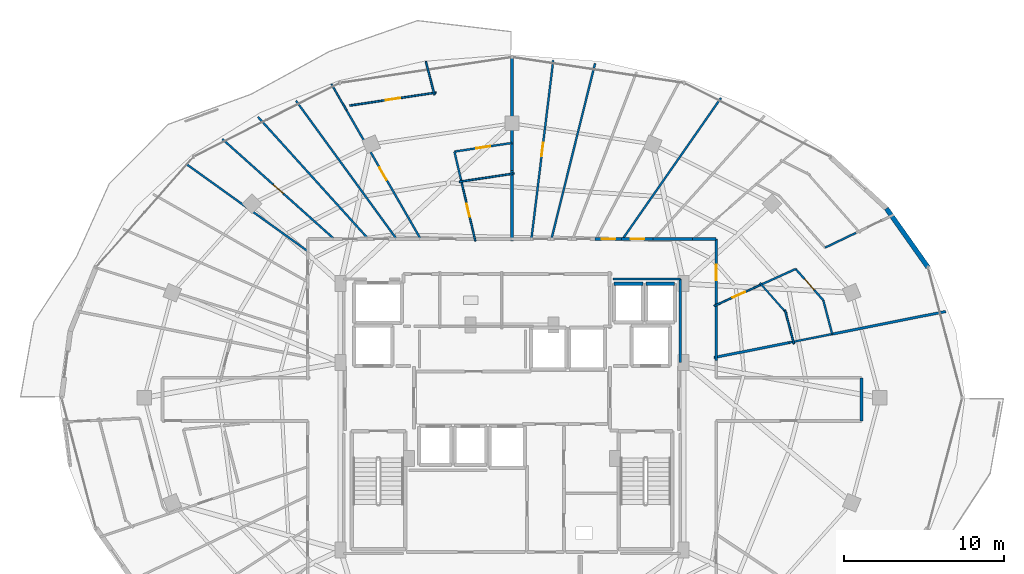
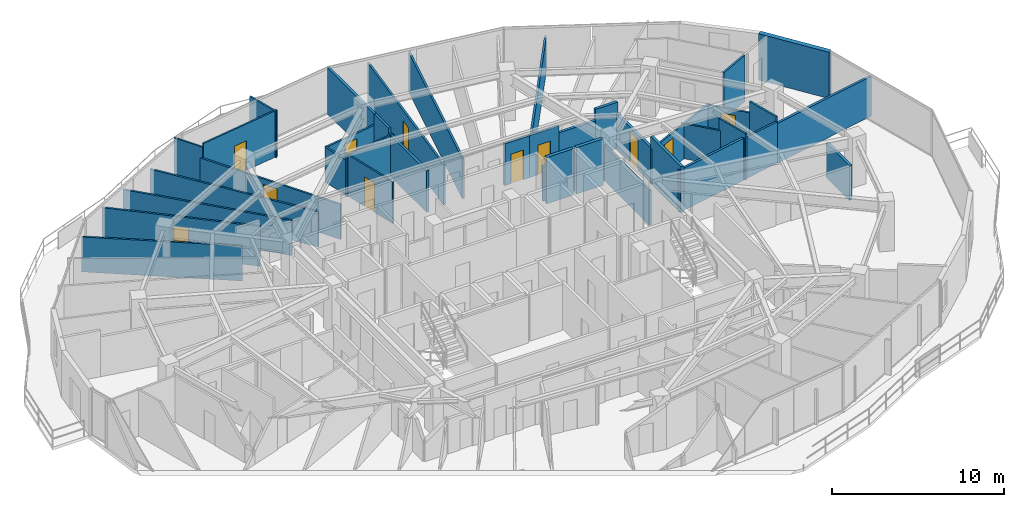
# One storey, part 29 of 34: 40 walls, 11 doors, 11 openings.
"""IFC4 building model written with IfcOpenShell, lengths in metres."""

from ifc_helpers import new_model, si_unit, direction, frame, frame_2d, origin, place, context, subcontext, project, spatial, rectangle, extrude, material, layer, layer_set, type_object, element, fill, save


model = new_model("IFC4")

# Units and contexts
model_context = context("Model", 3, precision=1e-05, world=origin(), true_north=direction((0.0, 1.0)))
body_context = subcontext(model_context, "Body", "Model", "MODEL_VIEW")
ifc_project = project(units=[si_unit("LENGTHUNIT", "METRE"), si_unit("AREAUNIT", "SQUARE_METRE"), si_unit("VOLUMEUNIT", "CUBIC_METRE"), si_unit("PLANEANGLEUNIT", "RADIAN"), si_unit("MASSUNIT", "GRAM", prefix="KILO")], contexts=[model_context])

# Site, building, storey
site_placement = place(None, origin())
site = spatial("IfcSite", under=ifc_project, at=site_placement, CompositionType="ELEMENT")
building_placement = place(site_placement, origin())
building = spatial("IfcBuilding", under=site, at=building_placement, Name="Vorneva Point Tower", CompositionType="ELEMENT")
storey_placement = place(building_placement, frame((0.0, 0.0, 210.75)))
storey = spatial("IfcBuildingStorey", under=building, at=storey_placement, Name="L57", CompositionType="ELEMENT", Elevation=210.75)

# Wall
ifc_material_1 = material(Name="Precast concrete B50 (C40/50)", Category="concrete")
ifc_layer_1 = layer(ifc_material_1, 0.300048828125)
ifc_layer_set_1 = layer_set([ifc_layer_1], Name="Precast concrete B50 (C40/50)")
wall_type_1 = type_object("IfcWallType", Name="WL-EXT-300", PredefinedType="STANDARD", material=ifc_layer_set_1)
wall_1_placement = place(storey_placement, frame((64.0810546875, 34.17041015625, 0.0), z_axis=(0.0, 0.0, 1.0), x_axis=(-0.577168747264, 0.81662490605, 0.0)))
element("IfcWall", 1, at=wall_1_placement, inside=storey, type_object=wall_type_1, Name="L57 Pale-Metal Facade Spandrel Wall 02.1", PredefinedType="STANDARD", context=body_context, shape_type="SweptSolid", body=[
    extrude(rectangle(XDim=4.519775390625, YDim=0.300048828125, at=frame_2d((2.259765625, 0.0))), origin(), (0.0, 0.0, 1.0), 3.2900390625),
])

# Wall, opening, door
ifc_material_2 = material(Name="Fire-rated acoustic gypsum stud partition", Category="gypsum")
ifc_layer_2 = layer(ifc_material_2, 0.110107421875)
ifc_layer_set_2 = layer_set([ifc_layer_2], Name="Fire-rated acoustic gypsum stud partition")
wall_type_2 = type_object("IfcWallType", Name="WL-PART-110", PredefinedType="PARTITIONING", material=ifc_layer_set_2)
wall_2_placement = place(storey_placement, frame((50.672607421875, 31.753173828125, 0.0), z_axis=(0.0, 0.0, 1.0), x_axis=(0.910504846956, 0.413498396212, 0.0)))
wall_2 = element("IfcWall", 2, at=wall_2_placement, inside=storey, type_object=wall_type_2, Name="L57 Interior Partition 080", PredefinedType="PARTITIONING", context=body_context, shape_type="SweptSolid", body=[
    extrude(rectangle(XDim=3.382568359375, YDim=0.110107421875, at=frame_2d((1.69140625, 0.0))), origin(), (0.0, 0.0, 1.0), 2.48193359375),
])
opening_1_placement = place(wall_2_placement, frame((1.266357421875, 0.0, 0.0)))
opening_1 = element("IfcOpeningElement", 3, at=opening_1_placement, cuts=wall_2, Name="Opening ID-02", PredefinedType="OPENING", context=body_context, shape_type="SweptSolid", body=[
    extrude(rectangle(XDim=0.85009765625, YDim=2.10009765625, at=frame_2d((0.425048828125, 1.050048828125))), frame((0.0, 0.06982421875, 0.0), z_axis=(0.0, -1.0, 0.0), x_axis=(1.0, 0.0, 0.0)), (0.0, 0.0, 1.0), 0.139892578125),
])
ifc_material_3 = material(Name="Engineered oak fire-rated door leaf", Category="wood")
door_type_1 = type_object("IfcDoorType", Name="DR-BATH-850", OperationType="NOTDEFINED", PredefinedType="DOOR", material=ifc_material_3)
door_1_placement = place(opening_1_placement, origin())
door_1 = element("IfcDoor", 4, at=door_1_placement, inside=storey, type_object=door_type_1, Name="L57 Door Living and Dining Room L57-01 / Bathroom L57-01", OperationType="SINGLE_SWING_LEFT", OverallHeight=2.10009765625, OverallWidth=0.85009765625, PredefinedType="DOOR", context=body_context, shape_type="SweptSolid", body=[
    extrude(rectangle(XDim=0.85009765625, YDim=2.10009765625, at=frame_2d((0.425048828125, 1.050048828125))), frame((0.0, 0.02490234375, 0.0), z_axis=(0.0, -1.0, 0.0), x_axis=(1.0, 0.0, 0.0)), (0.0, 0.0, 1.0), 0.050048828125),
])
fill(opening_1, door_1)

# Walls
wall_3_placement = place(storey_placement, frame((53.5322265625, 33.198974609375, 0.0), z_axis=(0.0, 0.0, 1.0), x_axis=(0.662069232061, -0.749442680902, 0.0)))
element("IfcWall", 5, at=wall_3_placement, inside=storey, type_object=wall_type_2, Name="L57 Interior Partition 087", PredefinedType="PARTITIONING", context=body_context, shape_type="SweptSolid", body=[
    extrude(rectangle(XDim=2.5791015625, YDim=0.110107421875, at=frame_2d((1.28955078125, 0.0))), origin(), (0.0, 0.0, 1.0), 2.48193359375),
])
wall_4_placement = place(storey_placement, frame((55.111328125, 31.50634765625, 0.0), z_axis=(0.0, 0.0, 1.0), x_axis=(0.254389812051, -0.967101764823, 0.0)))
element("IfcWall", 6, at=wall_4_placement, inside=storey, type_object=wall_type_2, Name="L57 Interior Partition 088", PredefinedType="PARTITIONING", context=body_context, shape_type="SweptSolid", body=[
    extrude(rectangle(XDim=2.206298828125, YDim=0.110107421875, at=frame_2d((1.10302734375, 0.0))), origin(), (0.0, 0.0, 1.0), 3.2900390625),
])

# Wall, opening, door
wall_5_placement = place(storey_placement, frame((35.703857421875, 35.813720703125, 0.0), z_axis=(0.0, 0.0, 1.0), x_axis=(-0.227707800263, 0.973729509515, 0.0)))
wall_5 = element("IfcWall", 7, at=wall_5_placement, inside=storey, type_object=wall_type_2, Name="L57 Interior Partition 103", PredefinedType="PARTITIONING", context=body_context, shape_type="SweptSolid", body=[
    extrude(rectangle(XDim=3.986328125, YDim=0.110107421875, at=frame_2d((1.9931640625, 0.0))), origin(), (0.0, 0.0, 1.0), 2.93603515625),
])
opening_2_placement = place(wall_5_placement, frame((1.568115234375, 0.0, 0.0)))
opening_2 = element("IfcOpeningElement", 8, at=opening_2_placement, cuts=wall_5, Name="Opening ID-02", PredefinedType="OPENING", context=body_context, shape_type="SweptSolid", body=[
    extrude(rectangle(XDim=0.85009765625, YDim=2.10009765625, at=frame_2d((0.425048828125, 1.050048828125))), frame((0.0, 0.06982421875, 0.0), z_axis=(0.0, -1.0, 0.0), x_axis=(1.0, 0.0, 0.0)), (0.0, 0.0, 1.0), 0.139892578125),
])
door_2_placement = place(opening_2_placement, origin())
door_2 = element("IfcDoor", 9, at=door_2_placement, inside=storey, type_object=door_type_1, Name="L57 Door Living and Dining Room L57-02 / Bathroom L57-02", OperationType="SINGLE_SWING_LEFT", OverallHeight=2.10009765625, OverallWidth=0.85009765625, PredefinedType="DOOR", context=body_context, shape_type="SweptSolid", body=[
    extrude(rectangle(XDim=0.85009765625, YDim=2.10009765625, at=frame_2d((0.425048828125, 1.050048828125))), frame((0.0, 0.02490234375, 0.0), z_axis=(0.0, -1.0, 0.0), x_axis=(1.0, 0.0, 0.0)), (0.0, 0.0, 1.0), 0.050048828125),
])
fill(opening_2, door_2)

# Wall
wall_6_placement = place(storey_placement, frame((32.60009765625, 47.084716796875, 0.0), z_axis=(0.0, 0.0, 1.0), x_axis=(0.248431915259, -0.96864936044, 0.0)))
element("IfcWall", 10, at=wall_6_placement, inside=storey, type_object=wall_type_2, Name="L57 Interior Partition 104", PredefinedType="PARTITIONING", context=body_context, shape_type="SweptSolid", body=[
    extrude(rectangle(XDim=2.1806640625, YDim=0.110107421875, at=frame_2d((1.09033203125, 0.0))), origin(), (0.0, 0.0, 1.0), 3.2900390625),
])

# Wall, opening, door
wall_7_placement = place(storey_placement, frame((33.245361328125, 45.12890625, 0.0), z_axis=(0.0, 0.0, 1.0), x_axis=(-0.988861815895, -0.148836517916, 0.0)))
wall_7 = element("IfcWall", 11, at=wall_7_placement, inside=storey, type_object=wall_type_2, Name="L57 Interior Partition 105", PredefinedType="PARTITIONING", context=body_context, shape_type="SweptSolid", body=[
    extrude(rectangle(XDim=5.48681640625, YDim=0.110107421875, at=frame_2d((2.743408203125, 0.0))), origin(), (0.0, 0.0, 1.0), 3.2900390625),
])
opening_3_placement = place(wall_7_placement, frame((2.29345703125, 0.0, 0.0)))
opening_3 = element("IfcOpeningElement", 12, at=opening_3_placement, cuts=wall_7, Name="Opening ID-01", PredefinedType="OPENING", context=body_context, shape_type="SweptSolid", body=[
    extrude(rectangle(XDim=0.89990234375, YDim=2.10009765625, at=frame_2d((0.449951171875, 1.050048828125))), frame((0.0, 0.06982421875, 0.0), z_axis=(0.0, -1.0, 0.0), x_axis=(1.0, 0.0, 0.0)), (0.0, 0.0, 1.0), 0.139892578125),
])
door_type_2 = type_object("IfcDoorType", Name="DR-ROOM-900", OperationType="NOTDEFINED", PredefinedType="DOOR", material=ifc_material_3)
door_3_placement = place(opening_3_placement, origin())
door_3 = element("IfcDoor", 13, at=door_3_placement, inside=storey, type_object=door_type_2, Name="L57 Door Living and Dining Room L57-02 / Kitchen L57-02", OperationType="SINGLE_SWING_RIGHT", OverallHeight=2.10009765625, OverallWidth=0.89990234375, PredefinedType="DOOR", context=body_context, shape_type="SweptSolid", body=[
    extrude(rectangle(XDim=0.89990234375, YDim=2.10009765625, at=frame_2d((0.449951171875, 1.050048828125))), frame((0.0, 0.02490234375, 0.0), z_axis=(0.0, -1.0, 0.0), x_axis=(1.0, 0.0, 0.0)), (0.0, 0.0, 1.0), 0.050048828125),
])
fill(opening_3, door_3)

# Walls
wall_8_placement = place(storey_placement, frame((38.138427734375, 40.056884765625, 0.0), z_axis=(0.0, 0.0, 1.0), x_axis=(-0.988873620703, -0.14875806626, 0.0)))
element("IfcWall", 14, at=wall_8_placement, inside=storey, type_object=wall_type_2, Name="L57 Interior Partition 109", PredefinedType="PARTITIONING", context=body_context, shape_type="SweptSolid", body=[
    extrude(rectangle(XDim=3.487548828125, YDim=0.110107421875, at=frame_2d((1.74365234375, 0.0))), origin(), (0.0, 0.0, 1.0), 2.93603515625),
])
wall_9_placement = place(storey_placement, frame((26.68017578125, 45.665283203125, 0.0), z_axis=(0.0, 0.0, 1.0), x_axis=(0.498810083909, -0.866711313062, 0.0)))
element("IfcWall", 15, at=wall_9_placement, inside=storey, type_object=wall_type_2, Name="L57 Interior Partition 110", PredefinedType="PARTITIONING", context=body_context, shape_type="SweptSolid", body=[
    extrude(rectangle(XDim=1.907958984375, YDim=0.110107421875, at=frame_2d((0.9541015625, 0.0))), origin(), (0.0, 0.0, 1.0), 3.2900390625),
])

# Wall, opening, door
ifc_layer_3 = layer(ifc_material_2, 0.125)
ifc_layer_set_3 = layer_set([ifc_layer_3], Name="Fire-rated acoustic gypsum stud partition")
wall_type_3 = type_object("IfcWallType", Name="WL-PART-125", PredefinedType="PARTITIONING", material=ifc_layer_set_3)
wall_10_placement = place(storey_placement, frame((55.781005859375, 34.072021484375, 0.0), z_axis=(0.0, 0.0, 1.0), x_axis=(0.661961245166, -0.749538064343, 0.0)))
wall_10 = element("IfcWall", 16, at=wall_10_placement, inside=storey, type_object=wall_type_3, Name="L57 Interior Partition 076", PredefinedType="PARTITIONING", context=body_context, shape_type="SweptSolid", body=[
    extrude(rectangle(XDim=2.614990234375, YDim=0.125, at=frame_2d((1.3076171875, 0.0))), origin(), (0.0, 0.0, 1.0), 2.48193359375),
])
opening_4_placement = place(wall_10_placement, frame((0.857421875, 0.0, 0.0)))
opening_4 = element("IfcOpeningElement", 17, at=opening_4_placement, cuts=wall_10, Name="Opening ID-01", PredefinedType="OPENING", context=body_context, shape_type="SweptSolid", body=[
    extrude(rectangle(XDim=0.89990234375, YDim=2.10009765625, at=frame_2d((0.449951171875, 1.050048828125))), frame((0.0, 0.077392578125, 0.0), z_axis=(0.0, -1.0, 0.0), x_axis=(1.0, 0.0, 0.0)), (0.0, 0.0, 1.0), 0.15478515625),
])
door_4_placement = place(opening_4_placement, origin())
door_4 = element("IfcDoor", 18, at=door_4_placement, inside=storey, type_object=door_type_2, Name="L57 Door Living and Dining Room L57-01 / Family Dining Room L57-01", OperationType="SINGLE_SWING_RIGHT", OverallHeight=2.10009765625, OverallWidth=0.89990234375, PredefinedType="DOOR", context=body_context, shape_type="SweptSolid", body=[
    extrude(rectangle(XDim=0.89990234375, YDim=2.10009765625, at=frame_2d((0.449951171875, 1.050048828125))), frame((0.0, 0.02490234375, 0.0), z_axis=(0.0, -1.0, 0.0), x_axis=(1.0, 0.0, 0.0)), (0.0, 0.0, 1.0), 0.050048828125),
])
fill(opening_4, door_4)

# Walls
wall_11_placement = place(storey_placement, frame((57.511962890625, 32.112060546875, 0.0), z_axis=(0.0, 0.0, 1.0), x_axis=(0.254570039115, -0.967054339314, 0.0)))
element("IfcWall", 19, at=wall_11_placement, inside=storey, type_object=wall_type_3, Name="L57 Interior Partition 077", PredefinedType="PARTITIONING", context=body_context, shape_type="SweptSolid", body=[
    extrude(rectangle(XDim=2.1923828125, YDim=0.125, at=frame_2d((1.09619140625, 0.0))), origin(), (0.0, 0.0, 1.0), 3.2900390625),
])
wall_12_placement = place(storey_placement, frame((58.070068359375, 29.991943359375, 0.0), z_axis=(0.0, 0.0, 1.0), x_axis=(-0.98076287284, -0.19520293865, 0.0)))
element("IfcWall", 20, at=wall_12_placement, inside=storey, type_object=wall_type_3, Name="L57 Interior Partition 078", PredefinedType="PARTITIONING", context=body_context, shape_type="SweptSolid", body=[
    extrude(rectangle(XDim=2.776611328125, YDim=0.125, at=frame_2d((1.38818359375, 0.0))), origin(), (0.0, 0.0, 1.0), 2.93603515625),
])
wall_13_placement = place(storey_placement, frame((53.625, 33.093994140625, 0.0), z_axis=(0.0, 0.0, 1.0), x_axis=(0.910680528551, 0.413111334773, 0.0)))
element("IfcWall", 21, at=wall_13_placement, inside=storey, type_object=wall_type_3, Name="L57 Interior Partition 079", PredefinedType="PARTITIONING", context=body_context, shape_type="SweptSolid", body=[
    extrude(rectangle(XDim=2.367431640625, YDim=0.125, at=frame_2d((1.18359375, 0.0))), origin(), (0.0, 0.0, 1.0), 2.48193359375),
])
wall_14_placement = place(storey_placement, frame((59.559814453125, 36.33642578125, 0.0), z_axis=(0.0, 0.0, 1.0), x_axis=(-0.901730274491, -0.432299100238, 0.0)))
element("IfcWall", 22, at=wall_14_placement, inside=storey, type_object=wall_type_3, Name="L57 Interior Partition 082", PredefinedType="PARTITIONING", context=body_context, shape_type="SweptSolid", body=[
    extrude(rectangle(XDim=2.14990234375, YDim=0.125, at=frame_2d((1.074951171875, 0.0))), origin(), (0.0, 0.0, 1.0), 3.2900390625),
])
wall_15_placement = place(storey_placement, frame((51.09912109375, 44.794921875, 0.0), z_axis=(0.0, 0.0, 1.0), x_axis=(-0.571754326018, -0.82042488424, 0.0)))
element("IfcWall", 23, at=wall_15_placement, inside=storey, type_object=wall_type_3, Name="L57 Interior Partition 095", PredefinedType="PARTITIONING", context=body_context, shape_type="SweptSolid", body=[
    extrude(rectangle(XDim=10.781005859375, YDim=0.125, at=frame_2d((5.390625, 0.0))), origin(), (0.0, 0.0, 1.0), 2.48193359375),
])
wall_16_placement = place(storey_placement, frame((43.20703125, 46.9609375, 0.0), z_axis=(0.0, 0.0, 1.0), x_axis=(-0.241072089133, -0.970507211638, 0.0)))
element("IfcWall", 24, at=wall_16_placement, inside=storey, type_object=wall_type_3, Name="L57 Interior Partition 098", PredefinedType="PARTITIONING", context=body_context, shape_type="SweptSolid", body=[
    extrude(rectangle(XDim=11.345703125, YDim=0.125, at=frame_2d((5.6728515625, 0.0))), origin(), (0.0, 0.0, 1.0), 2.823974609375),
])

# Wall, opening, door
wall_17_placement = place(storey_placement, frame((40.587890625, 47.156982421875, 0.0), z_axis=(0.0, 0.0, 1.0), x_axis=(-0.121415539359, -0.992601766471, 0.0)))
wall_17 = element("IfcWall", 25, at=wall_17_placement, inside=storey, type_object=wall_type_3, Name="L57 Interior Partition 099", PredefinedType="PARTITIONING", context=body_context, shape_type="SweptSolid", body=[
    extrude(rectangle(XDim=11.29052734375, YDim=0.125, at=frame_2d((5.645263671875, 0.0))), origin(), (0.0, 0.0, 1.0), 2.823974609375),
])
opening_5_placement = place(wall_17_placement, frame((5.22021484375, 0.0, 0.0)))
opening_5 = element("IfcOpeningElement", 26, at=opening_5_placement, cuts=wall_17, Name="Opening ID-02", PredefinedType="OPENING", context=body_context, shape_type="SweptSolid", body=[
    extrude(rectangle(XDim=0.85009765625, YDim=2.10009765625, at=frame_2d((0.425048828125, 1.050048828125))), frame((0.0, 0.077392578125, 0.0), z_axis=(0.0, -1.0, 0.0), x_axis=(1.0, 0.0, 0.0)), (0.0, 0.0, 1.0), 0.15478515625),
])
door_5_placement = place(opening_5_placement, origin())
door_5 = element("IfcDoor", 27, at=door_5_placement, inside=storey, type_object=door_type_1, Name="L57 Access Door Bedroom L57-01.6", OperationType="SINGLE_SWING_RIGHT", OverallHeight=2.10009765625, OverallWidth=0.85009765625, PredefinedType="DOOR", context=body_context, shape_type="SweptSolid", body=[
    extrude(rectangle(XDim=0.85009765625, YDim=2.10009765625, at=frame_2d((0.425048828125, 1.050048828125))), frame((0.0, 0.02490234375, 0.0), z_axis=(0.0, -1.0, 0.0), x_axis=(1.0, 0.0, 0.0)), (0.0, 0.0, 1.0), 0.050048828125),
])
fill(opening_5, door_5)

wall_18_placement = place(storey_placement, frame((34.39111328125, 41.428955078125, 0.0), z_axis=(0.0, 0.0, 1.0), x_axis=(0.988870503719, 0.148778785027, 0.0)))
wall_18 = element("IfcWall", 28, at=wall_18_placement, inside=storey, type_object=wall_type_3, Name="L57 Interior Partition 106", PredefinedType="PARTITIONING", context=body_context, shape_type="SweptSolid", body=[
    extrude(rectangle(XDim=3.6494140625, YDim=0.125, at=frame_2d((1.82470703125, 0.0))), origin(), (0.0, 0.0, 1.0), 2.48193359375),
])
opening_6_placement = place(wall_18_placement, frame((1.374755859375, 0.0, 0.0)))
opening_6 = element("IfcOpeningElement", 29, at=opening_6_placement, cuts=wall_18, Name="Opening ID-01", PredefinedType="OPENING", context=body_context, shape_type="SweptSolid", body=[
    extrude(rectangle(XDim=0.89990234375, YDim=2.10009765625, at=frame_2d((0.449951171875, 1.050048828125))), frame((0.0, 0.077392578125, 0.0), z_axis=(0.0, -1.0, 0.0), x_axis=(1.0, 0.0, 0.0)), (0.0, 0.0, 1.0), 0.15478515625),
])
door_6_placement = place(opening_6_placement, origin())
door_6 = element("IfcDoor", 30, at=door_6_placement, inside=storey, type_object=door_type_2, Name="L57 Door Living and Dining Room L57-02 / Study Room L57-02", OperationType="SINGLE_SWING_LEFT", OverallHeight=2.10009765625, OverallWidth=0.89990234375, PredefinedType="DOOR", context=body_context, shape_type="SweptSolid", body=[
    extrude(rectangle(XDim=0.89990234375, YDim=2.10009765625, at=frame_2d((0.449951171875, 1.050048828125))), frame((0.0, 0.02490234375, 0.0), z_axis=(0.0, -1.0, 0.0), x_axis=(1.0, 0.0, 0.0)), (0.0, 0.0, 1.0), 0.050048828125),
])
fill(opening_6, door_6)

# Wall
wall_19_placement = place(storey_placement, frame((34.796142578125, 39.6953125, 0.0), z_axis=(0.0, 0.0, 1.0), x_axis=(-0.227502715531, 0.973777446045, 0.0)))
element("IfcWall", 31, at=wall_19_placement, inside=storey, type_object=wall_type_3, Name="L57 Interior Partition 107", PredefinedType="PARTITIONING", context=body_context, shape_type="SweptSolid", body=[
    extrude(rectangle(XDim=1.7802734375, YDim=0.125, at=frame_2d((0.89013671875, 0.0))), origin(), (0.0, 0.0, 1.0), 2.48193359375),
])

# Wall, opening, door
wall_20_placement = place(storey_placement, frame((27.56201171875, 44.133056640625, 0.0), z_axis=(0.0, 0.0, 1.0), x_axis=(0.498920898859, -0.866647527361, 0.0)))
wall_20 = element("IfcWall", 32, at=wall_20_placement, inside=storey, type_object=wall_type_3, Name="L57 Interior Partition 108", PredefinedType="PARTITIONING", context=body_context, shape_type="SweptSolid", body=[
    extrude(rectangle(XDim=9.442138671875, YDim=0.125, at=frame_2d((4.72119140625, 0.0))), origin(), (0.0, 0.0, 1.0), 2.48193359375),
])
opening_7_placement = place(wall_20_placement, frame((4.27099609375, 0.0, 0.0)))
opening_7 = element("IfcOpeningElement", 33, at=opening_7_placement, cuts=wall_20, Name="Opening ID-01", PredefinedType="OPENING", context=body_context, shape_type="SweptSolid", body=[
    extrude(rectangle(XDim=0.89990234375, YDim=2.10009765625, at=frame_2d((0.449951171875, 1.050048828125))), frame((0.0, 0.077392578125, 0.0), z_axis=(0.0, -1.0, 0.0), x_axis=(1.0, 0.0, 0.0)), (0.0, 0.0, 1.0), 0.15478515625),
])
door_7_placement = place(opening_7_placement, origin())
door_7 = element("IfcDoor", 34, at=door_7_placement, inside=storey, type_object=door_type_2, Name="L57 Door Living and Dining Room L57-02 / Master Bedroom L57-02.1", OperationType="SINGLE_SWING_RIGHT", OverallHeight=2.10009765625, OverallWidth=0.89990234375, PredefinedType="DOOR", context=body_context, shape_type="SweptSolid", body=[
    extrude(rectangle(XDim=0.89990234375, YDim=2.10009765625, at=frame_2d((0.449951171875, 1.050048828125))), frame((0.0, 0.02490234375, 0.0), z_axis=(0.0, -1.0, 0.0), x_axis=(1.0, 0.0, 0.0)), (0.0, 0.0, 1.0), 0.050048828125),
])
fill(opening_7, door_7)

# Walls
wall_21_placement = place(storey_placement, frame((24.4599609375, 44.616943359375, 0.0), z_axis=(0.0, 0.0, 1.0), x_axis=(0.588154087929, -0.808748891098, 0.0)))
element("IfcWall", 35, at=wall_21_placement, inside=storey, type_object=wall_type_3, Name="L57 Interior Partition 111", PredefinedType="PARTITIONING", context=body_context, shape_type="SweptSolid", body=[
    extrude(rectangle(XDim=10.716552734375, YDim=0.125, at=frame_2d((5.3583984375, 0.0))), origin(), (0.0, 0.0, 1.0), 2.48193359375),
])
wall_22_placement = place(storey_placement, frame((22.076904296875, 43.60302734375, 0.0), z_axis=(0.0, 0.0, 1.0), x_axis=(0.670853853748, -0.741589581177, 0.0)))
element("IfcWall", 36, at=wall_22_placement, inside=storey, type_object=wall_type_3, Name="L57 Interior Partition 112", PredefinedType="PARTITIONING", context=body_context, shape_type="SweptSolid", body=[
    extrude(rectangle(XDim=10.31982421875, YDim=0.125, at=frame_2d((5.159912109375, 0.0))), origin(), (0.0, 0.0, 1.0), 2.48193359375),
])

# Wall, opening, door
wall_23_placement = place(storey_placement, frame((19.843994140625, 42.214111328125, 0.0), z_axis=(0.0, 0.0, 1.0), x_axis=(0.745845988041, -0.666118429502, 0.0)))
wall_23 = element("IfcWall", 37, at=wall_23_placement, inside=storey, type_object=wall_type_3, Name="L57 Interior Partition 113", PredefinedType="PARTITIONING", context=body_context, shape_type="SweptSolid", body=[
    extrude(rectangle(XDim=9.404052734375, YDim=0.125, at=frame_2d((4.7021484375, 0.0))), origin(), (0.0, 0.0, 1.0), 2.823974609375),
])
opening_8_placement = place(wall_23_placement, frame((4.277099609375, 0.0, 0.0)))
opening_8 = element("IfcOpeningElement", 38, at=opening_8_placement, cuts=wall_23, Name="Opening ID-02", PredefinedType="OPENING", context=body_context, shape_type="SweptSolid", body=[
    extrude(rectangle(XDim=0.85009765625, YDim=2.10009765625, at=frame_2d((0.425048828125, 1.050048828125))), frame((0.0, 0.077392578125, 0.0), z_axis=(0.0, -1.0, 0.0), x_axis=(1.0, 0.0, 0.0)), (0.0, 0.0, 1.0), 0.15478515625),
])
door_8_placement = place(opening_8_placement, origin())
door_8 = element("IfcDoor", 39, at=door_8_placement, inside=storey, type_object=door_type_1, Name="L57 Access Door Bedroom L57-02.3", OperationType="SINGLE_SWING_LEFT", OverallHeight=2.10009765625, OverallWidth=0.85009765625, PredefinedType="DOOR", context=body_context, shape_type="SweptSolid", body=[
    extrude(rectangle(XDim=0.85009765625, YDim=2.10009765625, at=frame_2d((0.425048828125, 1.050048828125))), frame((0.0, 0.02490234375, 0.0), z_axis=(0.0, -1.0, 0.0), x_axis=(1.0, 0.0, 0.0)), (0.0, 0.0, 1.0), 0.050048828125),
])
fill(opening_8, door_8)

# Walls
wall_24_placement = place(storey_placement, frame((17.568115234375, 40.662109375, 0.0), z_axis=(0.0, 0.0, 1.0), x_axis=(0.812435479674, -0.583051105279, 0.0)))
element("IfcWall", 40, at=wall_24_placement, inside=storey, type_object=wall_type_3, Name="L57 Interior Partition 114", PredefinedType="PARTITIONING", context=body_context, shape_type="SweptSolid", body=[
    extrude(rectangle(XDim=9.393798828125, YDim=0.125, at=frame_2d((4.69677734375, 0.0))), origin(), (0.0, 0.0, 1.0), 2.48193359375),
])
ifc_layer_4 = layer(ifc_material_2, 0.139892578125)
ifc_layer_set_4 = layer_set([ifc_layer_4], Name="Fire-rated acoustic gypsum stud partition")
wall_type_4 = type_object("IfcWallType", Name="WL-PART-140", PredefinedType="PARTITIONING", material=ifc_layer_set_4)
wall_25_placement = place(storey_placement, frame((48.550048828125, 28.196044921875, 0.0), z_axis=(0.0, 0.0, 1.0), x_axis=(0.0, 1.0, 0.0)))
element("IfcWall", 41, at=wall_25_placement, inside=storey, type_object=wall_type_4, Name="L57 Interior Closure Partition 174", PredefinedType="PARTITIONING", context=body_context, shape_type="SweptSolid", body=[
    extrude(rectangle(XDim=5.25390625, YDim=0.139892578125, at=frame_2d((2.626953125, 0.0))), origin(), (0.0, 0.0, 1.0), 2.48193359375),
])
wall_26_placement = place(storey_placement, frame((48.550048828125, 33.449951171875, 0.0), z_axis=(0.0, 0.0, 1.0), x_axis=(-1.0, 0.0, 0.0)))
element("IfcWall", 42, at=wall_26_placement, inside=storey, type_object=wall_type_4, Name="L57 Interior Closure Partition 175", PredefinedType="PARTITIONING", context=body_context, shape_type="SweptSolid", body=[
    extrude(rectangle(XDim=4.2099609375, YDim=0.139892578125, at=frame_2d((2.10498046875, 0.0))), origin(), (0.0, 0.0, 1.0), 2.48193359375),
])
ifc_layer_5 = layer(ifc_material_2, 0.159912109375)
ifc_layer_set_5 = layer_set([ifc_layer_5], Name="Fire-rated acoustic gypsum stud partition")
wall_type_5 = type_object("IfcWallType", Name="WL-PART-160", PredefinedType="PARTITIONING", material=ifc_layer_set_5)
wall_27_placement = place(storey_placement, frame((58.070068359375, 29.99169921875, 0.0), z_axis=(0.0, 0.0, 1.0), x_axis=(0.980769147175, 0.19517141171, 0.0)))
element("IfcWall", 43, at=wall_27_placement, inside=storey, type_object=wall_type_5, Name="L57 Interior Partition 086", PredefinedType="PARTITIONING", context=body_context, shape_type="SweptSolid", body=[
    extrude(rectangle(XDim=7.256591796875, YDim=0.159912109375, at=frame_2d((3.62841796875, 0.0))), origin(), (0.0, 0.0, 1.0), 2.823974609375),
])
wall_28_placement = place(storey_placement, frame((50.66259765625, 28.518798828125, 0.0), z_axis=(0.0, 0.0, 1.0), x_axis=(0.980809211653, 0.194969972909, 0.0)))
element("IfcWall", 44, at=wall_28_placement, inside=storey, type_object=wall_type_5, Name="L57 Interior Partition 089", PredefinedType="PARTITIONING", context=body_context, shape_type="SweptSolid", body=[
    extrude(rectangle(XDim=4.916015625, YDim=0.159912109375, at=frame_2d((2.4580078125, 0.0))), origin(), (0.0, 0.0, 1.0), 2.97900390625),
])
wall_29_placement = place(storey_placement, frame((38.0, 47.35009765625, 0.0), z_axis=(0.0, 0.0, 1.0), x_axis=(0.0, -1.0, 0.0)))
element("IfcWall", 45, at=wall_29_placement, inside=storey, type_object=wall_type_5, Name="L57 Interior Partition 100", PredefinedType="PARTITIONING", context=body_context, shape_type="SweptSolid", body=[
    extrude(rectangle(XDim=5.439208984375, YDim=0.159912109375, at=frame_2d((2.7197265625, 0.0))), origin(), (0.0, 0.0, 1.0), 3.2900390625),
])
wall_30_placement = place(storey_placement, frame((38.0, 40.236083984375, 0.0), z_axis=(0.0, 0.0, 1.0), x_axis=(0.0, -1.0, 0.0)))
element("IfcWall", 46, at=wall_30_placement, inside=storey, type_object=wall_type_5, Name="L57 Interior Partition 101", PredefinedType="PARTITIONING", context=body_context, shape_type="SweptSolid", body=[
    extrude(rectangle(XDim=4.426025390625, YDim=0.159912109375, at=frame_2d((2.212890625, 0.0))), origin(), (0.0, 0.0, 1.0), 2.93603515625),
])
wall_31_placement = place(storey_placement, frame((38.0, 41.910888671875, 0.0), z_axis=(0.0, 0.0, 1.0), x_axis=(0.0, -1.0, 0.0)))
element("IfcWall", 47, at=wall_31_placement, inside=storey, type_object=wall_type_5, Name="L57 Interior Partition 102", PredefinedType="PARTITIONING", context=body_context, shape_type="SweptSolid", body=[
    extrude(rectangle(XDim=1.6748046875, YDim=0.159912109375, at=frame_2d((0.83740234375, 0.0))), origin(), (0.0, 0.0, 1.0), 3.2900390625),
])

# Wall, opening, door
ifc_material_4 = material(Name="Autoclaved aerated concrete blockwork", Category="masonry")
ifc_layer_6 = layer(ifc_material_4, 0.179931640625)
ifc_layer_set_6 = layer_set([ifc_layer_6], Name="Autoclaved aerated concrete blockwork")
wall_type_6 = type_object("IfcWallType", Name="WL-PART-180", PredefinedType="PARTITIONING", material=ifc_layer_set_6)
wall_32_placement = place(storey_placement, frame((50.800048828125, 31.7509765625, 0.0), z_axis=(0.0, 0.0, 1.0), x_axis=(0.0, 1.0, 0.0)))
wall_32 = element("IfcWall", 48, at=wall_32_placement, inside=storey, type_object=wall_type_6, Name="L57 Interior Partition 026", PredefinedType="PARTITIONING", context=body_context, shape_type="SweptSolid", body=[
    extrude(rectangle(XDim=4.198974609375, YDim=0.179931640625, at=frame_2d((2.099609375, 0.0))), origin(), (0.0, 0.0, 1.0), 2.48193359375),
])
opening_9_placement = place(wall_32_placement, frame((1.599609375, 0.0, 0.0)))
opening_9 = element("IfcOpeningElement", 49, at=opening_9_placement, cuts=wall_32, Name="Opening UD-01", PredefinedType="OPENING", context=body_context, shape_type="SweptSolid", body=[
    extrude(rectangle(XDim=1.0, YDim=2.14990234375, at=frame_2d((0.5, 1.074951171875))), frame((0.0, 0.10498046875, 0.0), z_axis=(0.0, -1.0, 0.0), x_axis=(1.0, 0.0, 0.0)), (0.0, 0.0, 1.0), 0.209716796875),
])
door_type_3 = type_object("IfcDoorType", Name="DR-UNIT-1000", OperationType="NOTDEFINED", PredefinedType="DOOR", material=ifc_material_3)
door_9_placement = place(opening_9_placement, origin())
door_9 = element("IfcDoor", 50, at=door_9_placement, inside=storey, type_object=door_type_3, Name="L57 Door L57 Circulation Corridor / Living and Dining Room L57-01", OperationType="SINGLE_SWING_LEFT", OverallHeight=2.14990234375, OverallWidth=1.0, PredefinedType="DOOR", context=body_context, shape_type="SweptSolid", body=[
    extrude(rectangle(XDim=1.0, YDim=2.14990234375, at=frame_2d((0.5, 1.074951171875))), frame((0.0, 0.02490234375, 0.0), z_axis=(0.0, -1.0, 0.0), x_axis=(1.0, 0.0, 0.0)), (0.0, 0.0, 1.0), 0.050048828125),
])
fill(opening_9, door_9)

# Walls
wall_33_placement = place(storey_placement, frame((50.800048828125, 35.949951171875, 0.0), z_axis=(0.0, 0.0, 1.0), x_axis=(-1.0, 0.0, 0.0)))
element("IfcWall", 51, at=wall_33_placement, inside=storey, type_object=wall_type_6, Name="L57 Interior Partition 027", PredefinedType="PARTITIONING", context=body_context, shape_type="SweptSolid", body=[
    extrude(rectangle(XDim=1.484130859375, YDim=0.179931640625, at=frame_2d((0.7421875, 0.0))), origin(), (0.0, 0.0, 1.0), 3.2900390625),
])
wall_34_placement = place(storey_placement, frame((50.800048828125, 28.345947265625, 0.0), z_axis=(0.0, 0.0, 1.0), x_axis=(0.0, 1.0, 0.0)))
element("IfcWall", 52, at=wall_34_placement, inside=storey, type_object=wall_type_6, Name="L57 Interior Partition 028", PredefinedType="PARTITIONING", context=body_context, shape_type="SweptSolid", body=[
    extrude(rectangle(XDim=3.545166015625, YDim=0.179931640625, at=frame_2d((1.7724609375, 0.0))), origin(), (0.0, 0.0, 1.0), 3.2900390625),
])
wall_35_placement = place(storey_placement, frame((49.31591796875, 35.949951171875, 0.0), z_axis=(0.0, 0.0, 1.0), x_axis=(-1.0, 0.0, 0.0)))
element("IfcWall", 53, at=wall_35_placement, inside=storey, type_object=wall_type_6, Name="L57 Interior Partition 029", PredefinedType="PARTITIONING", context=body_context, shape_type="SweptSolid", body=[
    extrude(rectangle(XDim=2.4638671875, YDim=0.179931640625, at=frame_2d((1.23193359375, 0.0))), origin(), (0.0, 0.0, 1.0), 2.48193359375),
])

# Wall, opening, door
wall_36_placement = place(storey_placement, frame((46.85205078125, 35.949951171875, 0.0), z_axis=(0.0, 0.0, 1.0), x_axis=(-1.0, 0.0, 0.0)))
wall_36 = element("IfcWall", 54, at=wall_36_placement, inside=storey, type_object=wall_type_6, Name="L57 Interior Partition 030", PredefinedType="PARTITIONING", context=body_context, shape_type="SweptSolid", body=[
    extrude(rectangle(XDim=1.97705078125, YDim=0.179931640625, at=frame_2d((0.988525390625, 0.0))), origin(), (0.0, 0.0, 1.0), 2.97900390625),
])
opening_10_placement = place(wall_36_placement, frame((0.5634765625, 0.0, 0.0)))
opening_10 = element("IfcOpeningElement", 55, at=opening_10_placement, cuts=wall_36, Name="Opening ID-02", PredefinedType="OPENING", context=body_context, shape_type="SweptSolid", body=[
    extrude(rectangle(XDim=0.85009765625, YDim=2.10009765625, at=frame_2d((0.425048828125, 1.050048828125))), frame((0.0, 0.10498046875, 0.0), z_axis=(0.0, -1.0, 0.0), x_axis=(1.0, 0.0, 0.0)), (0.0, 0.0, 1.0), 0.209716796875),
])
door_10_placement = place(opening_10_placement, origin())
door_10 = element("IfcDoor", 56, at=door_10_placement, inside=storey, type_object=door_type_1, Name="L57 Access Door L57 Circulation Corridor", OperationType="SINGLE_SWING_RIGHT", OverallHeight=2.10009765625, OverallWidth=0.85009765625, PredefinedType="DOOR", context=body_context, shape_type="SweptSolid", body=[
    extrude(rectangle(XDim=0.85009765625, YDim=2.10009765625, at=frame_2d((0.425048828125, 1.050048828125))), frame((0.0, 0.02490234375, 0.0), z_axis=(0.0, -1.0, 0.0), x_axis=(1.0, 0.0, 0.0)), (0.0, 0.0, 1.0), 0.050048828125),
])
fill(opening_10, door_10)

wall_37_placement = place(storey_placement, frame((44.875, 35.949951171875, 0.0), z_axis=(0.0, 0.0, 1.0), x_axis=(-1.0, 0.0, 0.0)))
wall_37 = element("IfcWall", 57, at=wall_37_placement, inside=storey, type_object=wall_type_6, Name="L57 Interior Partition 031", PredefinedType="PARTITIONING", context=body_context, shape_type="SweptSolid", body=[
    extrude(rectangle(XDim=1.6669921875, YDim=0.179931640625, at=frame_2d((0.83349609375, 0.0))), origin(), (0.0, 0.0, 1.0), 2.97900390625),
])
opening_11_placement = place(wall_37_placement, frame((0.408447265625, 0.0, 0.0)))
opening_11 = element("IfcOpeningElement", 58, at=opening_11_placement, cuts=wall_37, Name="Opening ID-02", PredefinedType="OPENING", context=body_context, shape_type="SweptSolid", body=[
    extrude(rectangle(XDim=0.85009765625, YDim=2.10009765625, at=frame_2d((0.425048828125, 1.050048828125))), frame((0.0, 0.10498046875, 0.0), z_axis=(0.0, -1.0, 0.0), x_axis=(1.0, 0.0, 0.0)), (0.0, 0.0, 1.0), 0.209716796875),
])
door_11_placement = place(opening_11_placement, origin())
door_11 = element("IfcDoor", 59, at=door_11_placement, inside=storey, type_object=door_type_1, Name="L57 Access Door L57 Circulation Corridor", OperationType="SINGLE_SWING_LEFT", OverallHeight=2.10009765625, OverallWidth=0.85009765625, PredefinedType="DOOR", context=body_context, shape_type="SweptSolid", body=[
    extrude(rectangle(XDim=0.85009765625, YDim=2.10009765625, at=frame_2d((0.425048828125, 1.050048828125))), frame((0.0, 0.02490234375, 0.0), z_axis=(0.0, -1.0, 0.0), x_axis=(1.0, 0.0, 0.0)), (0.0, 0.0, 1.0), 0.050048828125),
])
fill(opening_11, door_11)

# Walls
wall_38_placement = place(storey_placement, frame((59.89990234375, 24.550048828125, 0.0), z_axis=(0.0, 0.0, 1.0), x_axis=(0.0, 1.0, 0.0)))
element("IfcWall", 60, at=wall_38_placement, inside=storey, type_object=wall_type_6, Name="L57 Interior Partition 073", PredefinedType="PARTITIONING", context=body_context, shape_type="SweptSolid", body=[
    extrude(rectangle(XDim=2.699951171875, YDim=0.179931640625, at=frame_2d((1.35009765625, 0.0))), origin(), (0.0, 0.0, 1.0), 2.48193359375),
])
ifc_material_5 = material(Name="Concrete B50 (C40/50)", Category="concrete")
ifc_layer_7 = layer(ifc_material_5, 0.219970703125)
ifc_layer_set_7 = layer_set([ifc_layer_7], Name="Concrete B50 (C40/50)")
wall_type_7 = type_object("IfcWallType", Name="WL-SHFT-220", PredefinedType="SOLIDWALL", material=ifc_layer_set_7)
for number, where, z_axis, x_axis, name in (
    (61, (46.199951171875, 33.159912109375, 0.0), (0.0, 0.0, 1.0), (-1.0, 0.0, 0.0), "L57 Lift EX1 Shaft Wall +Y"),
    (62, (48.199951171875, 33.159912109375, 0.0), (0.0, 0.0, 1.0), (-1.0, 0.0, 0.0), "L57 Lift EX2 Shaft Wall +Y"),
):
    element("IfcWall", number, at=place(storey_placement, frame(where, z_axis=z_axis, x_axis=x_axis)), inside=storey, type_object=wall_type_7, Name=name, PredefinedType="SOLIDWALL", context=body_context, shape_type="SweptSolid", body=[
        extrude(rectangle(XDim=1.800048828125, YDim=0.219970703125, at=frame_2d((0.89990234375, 0.0))), origin(), (0.0, 0.0, 1.0), 3.2900390625),
    ])

save(model, "model.ifc")
